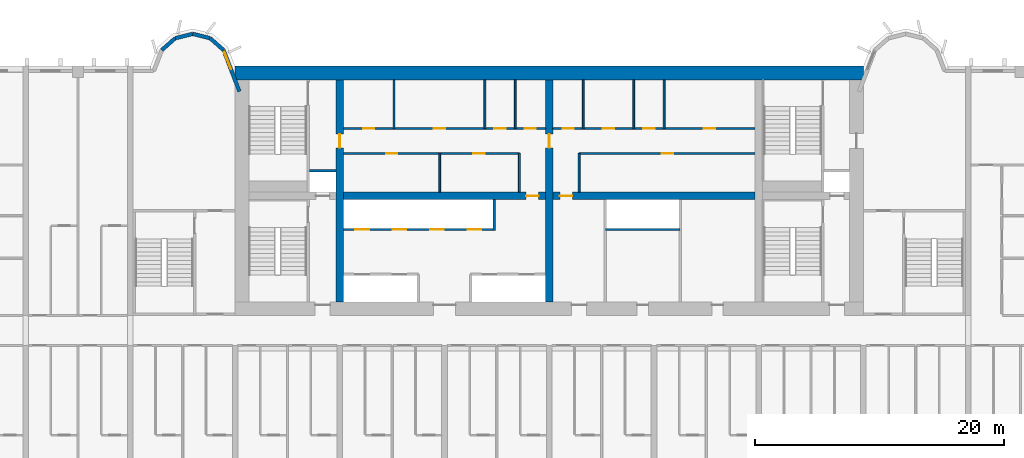
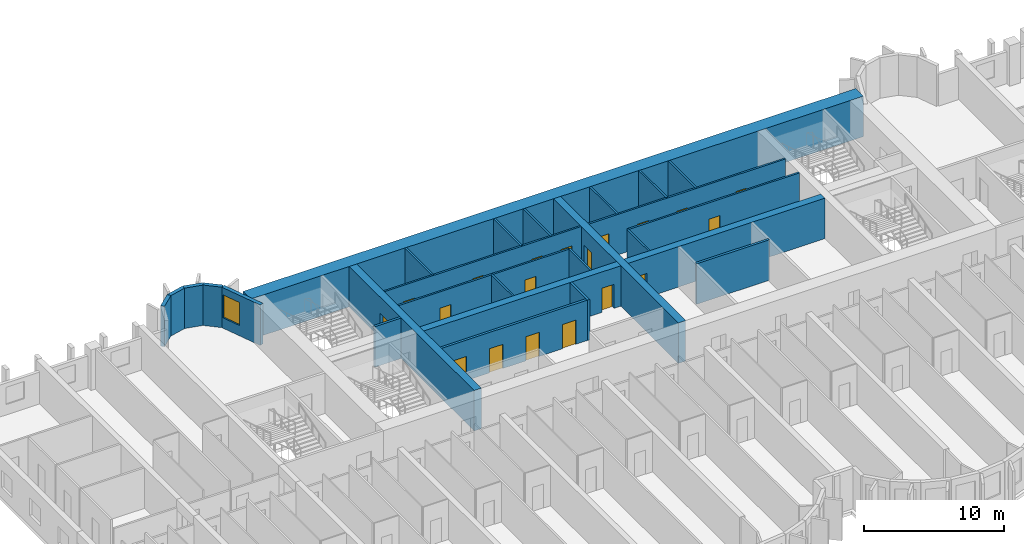
# One storey, part 7 of 15: 27 walls, 19 doors, 1 window, 20 openings.
"""IFC4 building model written with IfcOpenShell, lengths in metres."""

import ifcopenshell
import ifcopenshell.guid

model = None  # the IFC model being written
_history = None  # IfcOwnerHistory: only IFC2X3 demands one
_inside = {}  # id of a spatial element -> (the spatial element, [elements in it])
_under = {}  # id of a project, library or spatial element -> (it, [spatial elements below it])
_declared = {}  # id of a project -> (the project, [libraries it declares])
_typed = {}  # id of a type object -> (the type object, [elements of that type])
_made_of = {}  # id of a material, layer set ... -> (it, [elements and type objects made of it])


def new_model(schema):
    """Start an empty IFC model of exactly this schema.

    Asked for "IFC4X3", IfcOpenShell would pick the latest addendum, in which some entities
    have other attributes; the version numbers below select the first issue.
    IFC2X3 requires an IfcOwnerHistory on every rooted entity: one is made here for all.
    """
    global model, _history
    if schema == "IFC4X3":
        model = ifcopenshell.file(schema_version=(4, 3, 0, 0))
    else:
        model = ifcopenshell.file(schema=schema)
    _inside.clear()
    _under.clear()
    _declared.clear()
    _typed.clear()
    _made_of.clear()
    _history = None
    if model.schema == "IFC2X3":
        org = make("IfcOrganization", Name="unknown")
        user = make(
            "IfcPersonAndOrganization",
            ThePerson=make("IfcPerson", FamilyName="unknown"),
            TheOrganization=org,
        )
        app = make(
            "IfcApplication",
            ApplicationDeveloper=org,
            Version="unknown",
            ApplicationFullName="unknown",
            ApplicationIdentifier="unknown",
        )
        _history = make(
            "IfcOwnerHistory",
            OwningUser=user,
            OwningApplication=app,
            ChangeAction="ADDED",
            CreationDate=0,
        )
    return model


def make(cls, **values):
    """One entity of the class cls with the attributes given. An attribute that is None is left unset."""
    return model.create_entity(
        cls, **{name: value for name, value in values.items() if value is not None}
    )


def rooted(cls, **values):
    """An entity with a GlobalId (a new one), such as an element, a storey or a relation."""
    return make(cls, GlobalId=ifcopenshell.guid.new(), OwnerHistory=_history, **values)


def si_unit(unit_type, name, prefix=None):
    """IfcSIUnit, for example si_unit("LENGTHUNIT", "METRE", prefix="MILLI")."""
    return make("IfcSIUnit", UnitType=unit_type, Prefix=prefix, Name=name)


def assignment(units):
    """IfcUnitAssignment: the units of a project."""
    return None if units is None else make("IfcUnitAssignment", Units=units)


def point(xyz):
    """IfcCartesianPoint."""
    return None if xyz is None else make("IfcCartesianPoint", Coordinates=xyz)


def direction(xyz):
    """IfcDirection."""
    return None if xyz is None else make("IfcDirection", DirectionRatios=xyz)


def frame(location, z_axis=None, x_axis=None):
    """IfcAxis2Placement3D, a coordinate frame: its origin and axes. An axis left out is left unset."""
    return make(
        "IfcAxis2Placement3D",
        Location=point(location),
        Axis=direction(z_axis),
        RefDirection=direction(x_axis),
    )


def frame_2d(location, x_axis=None):
    """IfcAxis2Placement2D, a coordinate frame in the plane: its origin and x axis."""
    return make(
        "IfcAxis2Placement2D", Location=point(location), RefDirection=direction(x_axis)
    )


def origin():
    """The frame at (0, 0, 0) with its axes left unset."""
    return frame((0.0, 0.0, 0.0))


def place(relative_to, where):
    """IfcLocalPlacement: puts the frame where relative to a parent placement (None: the world)."""
    return make(
        "IfcLocalPlacement", PlacementRelTo=relative_to, RelativePlacement=where
    )


def context(
    kind, dimensions, precision=None, world=None, true_north=None, identifier=None
):
    """IfcGeometricRepresentationContext, for example the 3D "Model" context."""
    return make(
        "IfcGeometricRepresentationContext",
        ContextIdentifier=identifier,
        ContextType=kind,
        CoordinateSpaceDimension=dimensions,
        Precision=precision,
        WorldCoordinateSystem=world,
        TrueNorth=true_north,
    )


def subcontext(parent, identifier, kind, view, scale=None):
    """IfcGeometricRepresentationSubContext, for example "Body" below "Model"."""
    return make(
        "IfcGeometricRepresentationSubContext",
        ContextIdentifier=identifier,
        ContextType=kind,
        ParentContext=parent,
        TargetScale=scale,
        TargetView=view,
    )


def project(units=None, contexts=None):
    """IfcProject with its units and contexts."""
    return rooted(
        "IfcProject",
        Name="project",
        RepresentationContexts=contexts,
        UnitsInContext=assignment(units),
    )


def spatial(cls, under=None, at=None, **own):
    """A site, building, storey or space (cls), placed at a placement, below another one or the project."""
    s = rooted(cls, ObjectPlacement=at, **own)
    if under is not None:
        _under.setdefault(under.id(), (under, []))[1].append(s)
    return s


def profile(cls, at=None, kind="AREA", **sizes):
    """A parametric profile (cls). Its sizes go by their IFC names, for example OverallWidth=200.0."""
    return make(cls, ProfileType=kind, Position=at, **sizes)


def rectangle(**sizes):
    """IfcRectangleProfileDef."""
    return profile("IfcRectangleProfileDef", **sizes)


def extrude(swept, where, along, depth):
    """IfcExtrudedAreaSolid: the profile swept, set in the frame where, extruded along a direction by depth."""
    return make(
        "IfcExtrudedAreaSolid",
        SweptArea=swept,
        Position=where,
        ExtrudedDirection=direction(along),
        Depth=depth,
    )


def shape(context_of_items, identifier, shape_type, items):
    """IfcShapeRepresentation: the items that make up one representation, for example the "Body"."""
    return make(
        "IfcShapeRepresentation",
        ContextOfItems=context_of_items,
        RepresentationIdentifier=identifier,
        RepresentationType=shape_type,
        Items=items,
    )


def source(mapping_origin, context_of_items, identifier, shape_type, items):
    """IfcRepresentationMap: a shape defined once, which mapped items show again and again."""
    return make(
        "IfcRepresentationMap",
        MappingOrigin=mapping_origin,
        MappedRepresentation=shape(context_of_items, identifier, shape_type, items),
    )


def transform(
    local_origin,
    x_axis=None,
    y_axis=None,
    z_axis=None,
    scale=None,
    scale2=None,
    scale3=None,
    uniform=True,
):
    """IfcCartesianTransformationOperator3D, or its non-uniform kind. x_axis, y_axis, z_axis: its Axis1, 2, 3."""
    if uniform:
        return make(
            "IfcCartesianTransformationOperator3D",
            Axis1=direction(x_axis),
            Axis2=direction(y_axis),
            LocalOrigin=point(local_origin),
            Scale=scale,
            Axis3=direction(z_axis),
        )
    return make(
        "IfcCartesianTransformationOperator3DnonUniform",
        Axis1=direction(x_axis),
        Axis2=direction(y_axis),
        LocalOrigin=point(local_origin),
        Scale=scale,
        Axis3=direction(z_axis),
        Scale2=scale2,
        Scale3=scale3,
    )


def mapped(mapping_source, mapping_target):
    """IfcMappedItem: shows the shape of a source again, moved by a transform."""
    return make(
        "IfcMappedItem", MappingSource=mapping_source, MappingTarget=mapping_target
    )


def material(Name=None, Category=None):
    """IfcMaterial."""
    return make("IfcMaterial", Name=Name, Category=Category)


def layer(
    of_material, thickness, ventilated=None, Name=None, Category=None, Priority=None
):
    """IfcMaterialLayer: one layer of a wall or slab, of a material (None: an air gap)."""
    return make(
        "IfcMaterialLayer",
        Material=of_material,
        LayerThickness=thickness,
        IsVentilated=ventilated,
        Name=Name,
        Category=Category,
        Priority=Priority,
    )


def layer_set(layers, Name=None):
    """IfcMaterialLayerSet."""
    return make("IfcMaterialLayerSet", MaterialLayers=layers, LayerSetName=Name)


def made_of(thing, what):
    """Note that an element or type object is made of a material, layer set ...; save() writes the relation."""
    if what is not None:
        _made_of.setdefault(what.id(), (what, []))[1].append(thing)
    return thing


def type_object(cls, material=None, **own):
    """A type object (cls), such as IfcWallType, which elements share."""
    return made_of(rooted(cls, **own), material)


def element(
    cls,
    number,
    at=None,
    inside=None,
    cuts=None,
    type_object=None,
    material=None,
    context=None,
    identifier="Body",
    shape_type=None,
    held_by="IfcProductDefinitionShape",
    body=None,
    shapes=None,
    **own,
):
    """One element of the class cls, such as IfcWall. Its Tag is "e" and its number.

    at: its placement. inside: the storey or other place that contains it. cuts: it is an
    opening in that element (IfcRelVoidsElement). A single representation is given by context,
    identifier, shape_type and body (its items); several are given by shapes. held_by: the class
    of the entity that holds the representations. save() writes the other relations.
    """
    e = rooted(cls, Tag="e%d" % number, ObjectPlacement=at, **own)
    if body is not None:
        shapes = [shape(context, identifier, shape_type, body)]
    if shapes is not None:
        e.Representation = make(held_by, Representations=shapes)
    if inside is not None:
        _inside.setdefault(inside.id(), (inside, []))[1].append(e)
    if cuts is not None:
        rooted(
            "IfcRelVoidsElement", RelatingBuildingElement=cuts, RelatedOpeningElement=e
        )
    if type_object is not None:
        _typed.setdefault(type_object.id(), (type_object, []))[1].append(e)
    return made_of(e, material)


def fill(opening, filler):
    """IfcRelFillsElement: the door or window that sits in an opening."""
    return rooted(
        "IfcRelFillsElement",
        RelatingOpeningElement=opening,
        RelatedBuildingElement=filler,
    )


def aggregate(whole, parts):
    """IfcRelAggregates: a whole, such as a stair, and the parts it consists of."""
    return rooted("IfcRelAggregates", RelatingObject=whole, RelatedObjects=parts)


def save(model, path):
    """Write the relations noted so far, then the file.

    IfcRelAggregates (storeys below a building ...), IfcRelContainedInSpatialStructure (elements
    in a storey), IfcRelDefinesByType, IfcRelAssociatesMaterial and IfcRelDeclares: one each for
    every whole, place, type object, material and project.
    """
    for whole, parts in _under.values():
        aggregate(whole, parts)
    for where, things in _inside.values():
        rooted(
            "IfcRelContainedInSpatialStructure",
            RelatedElements=things,
            RelatingStructure=where,
        )
    for kind, things in _typed.values():
        rooted("IfcRelDefinesByType", RelatedObjects=things, RelatingType=kind)
    for what, things in _made_of.values():
        rooted("IfcRelAssociatesMaterial", RelatedObjects=things, RelatingMaterial=what)
    for by, libraries in _declared.values():
        rooted("IfcRelDeclares", RelatingContext=by, RelatedDefinitions=libraries)
    model.write(path)


model = new_model("IFC4")

# Units and contexts
model_context = context("Model", 3, precision=1e-05, world=origin(), true_north=direction((0.0, 1.0)))
body_context = subcontext(model_context, "Body", "Model", "MODEL_VIEW")
ifc_project = project(units=[si_unit("LENGTHUNIT", "METRE"), si_unit("AREAUNIT", "SQUARE_METRE"), si_unit("VOLUMEUNIT", "CUBIC_METRE"), si_unit("PLANEANGLEUNIT", "RADIAN"), si_unit("MASSUNIT", "GRAM", prefix="KILO")], contexts=[model_context])

# Site, building, storey
site_placement = place(None, origin())
site = spatial("IfcSite", under=ifc_project, at=site_placement, CompositionType="ELEMENT")
building_placement = place(site_placement, origin())
building = spatial("IfcBuilding", under=site, at=building_placement, Name="Vanashikhar Sky Hotel", CompositionType="ELEMENT")
storey_placement = place(building_placement, frame((0.0, 0.0, 31.60009765625)))
storey = spatial("IfcBuildingStorey", under=building, at=storey_placement, Name="L06", CompositionType="ELEMENT", Elevation=31.60009765625)

# Wall
ifc_material_1 = material(Name="Concrete M80", Category="concrete")
ifc_layer_1 = layer(ifc_material_1, 1.10009765625)
ifc_layer_set_1 = layer_set([ifc_layer_1], Name="RC core shell wall 1100 Concrete M80")
wall_type_1 = type_object("IfcWallType", Name="RC core shell wall 1100 Concrete M80", PredefinedType="SHEAR", material=ifc_layer_set_1)
shared_shape_1 = source(origin(), body_context, "Body", "SweptSolid", [
    extrude(rectangle(XDim=50.400146484375, YDim=1.10009765625, at=frame_2d((25.2001953125, 0.0))), origin(), (0.0, 0.0, 1.0), 3.52001953125),
])
wall_1_placement = place(storey_placement, frame((25.199951171875, 41.449951171875, 0.0), z_axis=(0.0, 0.0, 1.0), x_axis=(1.0, 0.0, 0.0)))
element("IfcWall", 1, at=wall_1_placement, inside=storey, type_object=wall_type_1, Name="KW-L06-KN", PredefinedType="SHEAR", context=body_context, shape_type="MappedRepresentation", body=[
    mapped(shared_shape_1, transform((0.0, 0.0, 0.0), scale=1.0)),
])

# Wall, opening, door
ifc_layer_2 = layer(ifc_material_1, 0.60009765625)
ifc_layer_set_2 = layer_set([ifc_layer_2], Name="RC core inner wall 600 Concrete M80")
wall_type_2 = type_object("IfcWallType", Name="RC core inner wall 600 Concrete M80", PredefinedType="SHEAR", material=ifc_layer_set_2)
shared_shape_2 = source(origin(), body_context, "Body", "SweptSolid", [
    extrude(rectangle(XDim=17.7998046875, YDim=0.60009765625, at=frame_2d((8.89990234375, 0.0))), origin(), (0.0, 0.0, 1.0), 3.52001953125),
])
wall_2_placement = place(storey_placement, frame((33.60009765625, 23.10009765625, 0.0), z_axis=(0.0, 0.0, 1.0), x_axis=(0.0, 1.0, 0.0)))
wall_2 = element("IfcWall", 2, at=wall_2_placement, inside=storey, type_object=wall_type_2, Name="KW-L06-KX1", PredefinedType="SHEAR", context=body_context, shape_type="MappedRepresentation", body=[
    mapped(shared_shape_2, transform((0.0, 0.0, 0.0), scale=1.0)),
])
shared_shape_3 = source(origin(), body_context, "Body", "SweptSolid", [
    extrude(rectangle(XDim=1.10009765625, YDim=2.10009765625, at=frame_2d((0.550048828125, 1.050048828125))), frame((0.0, 0.31005859375, 0.0), z_axis=(0.0, -1.0, 0.0), x_axis=(1.0, 0.0, 0.0)), (0.0, 0.0, 1.0), 0.6201171875),
])
opening_1_placement = place(wall_2_placement, frame((12.35009765625, 0.0, 0.0)))
opening_1 = element("IfcOpeningElement", 3, at=opening_1_placement, cuts=wall_2, Name="Opening DC-4-C", PredefinedType="OPENING", context=body_context, shape_type="MappedRepresentation", body=[
    mapped(shared_shape_3, transform((0.0, 0.0, 0.0), scale=1.0)),
])
ifc_material_2 = material(Name="Steel", Category="steel")
door_type_1 = type_object("IfcDoorType", Name="Service door 1100 FD60", OperationType="NOTDEFINED", PredefinedType="DOOR", material=ifc_material_2)
shared_shape_4 = source(origin(), body_context, "Body", "SweptSolid", [
    extrude(rectangle(XDim=1.10009765625, YDim=2.10009765625, at=frame_2d((0.550048828125, 1.050048828125))), frame((0.0, 0.02490234375, 0.0), z_axis=(0.0, -1.0, 0.0), x_axis=(1.0, 0.0, 0.0)), (0.0, 0.0, 1.0), 0.050048828125),
])
door_1_placement = place(opening_1_placement, origin())
door_1 = element("IfcDoor", 4, at=door_1_placement, inside=storey, type_object=door_type_1, Name="Service door 1100 FD60", OperationType="SINGLE_SWING_LEFT", OverallHeight=2.10009765625, OverallWidth=1.10009765625, PredefinedType="DOOR", context=body_context, shape_type="MappedRepresentation", body=[
    mapped(shared_shape_4, transform((0.0, 0.0, 0.0), scale=1.0)),
])
fill(opening_1, door_1)

wall_3_placement = place(storey_placement, frame((50.39990234375, 23.10009765625, 0.0), z_axis=(0.0, 0.0, 1.0), x_axis=(0.0, 1.0, 0.0)))
wall_3 = element("IfcWall", 5, at=wall_3_placement, inside=storey, type_object=wall_type_2, Name="KW-L06-KX2", PredefinedType="SHEAR", context=body_context, shape_type="MappedRepresentation", body=[
    mapped(shared_shape_2, transform((0.0, 0.0, 0.0), scale=1.0)),
])
opening_2_placement = place(wall_3_placement, frame((12.35009765625, 0.0, 0.0)))
opening_2 = element("IfcOpeningElement", 6, at=opening_2_placement, cuts=wall_3, Name="Opening DC-4-C", PredefinedType="OPENING", context=body_context, shape_type="MappedRepresentation", body=[
    mapped(shared_shape_3, transform((0.0, 0.0, 0.0), scale=1.0)),
])
door_2_placement = place(opening_2_placement, origin())
door_2 = element("IfcDoor", 7, at=door_2_placement, inside=storey, type_object=door_type_1, Name="Service door 1100 FD60", OperationType="SINGLE_SWING_RIGHT", OverallHeight=2.10009765625, OverallWidth=1.10009765625, PredefinedType="DOOR", context=body_context, shape_type="MappedRepresentation", body=[
    mapped(shared_shape_4, transform((0.0, 0.0, 0.0), scale=1.0)),
])
fill(opening_2, door_2)

shared_shape_5 = source(origin(), body_context, "Body", "SweptSolid", [
    extrude(rectangle(XDim=16.2001953125, YDim=0.60009765625, at=frame_2d((8.10009765625, 0.0))), origin(), (0.0, 0.0, 1.0), 3.52001953125),
])
wall_4_placement = place(storey_placement, frame((33.89990234375, 31.60009765625, 0.0), z_axis=(0.0, 0.0, 1.0), x_axis=(1.0, 0.0, 0.0)))
wall_4 = element("IfcWall", 8, at=wall_4_placement, inside=storey, type_object=wall_type_2, Name="KW-L06-KY2", PredefinedType="SHEAR", context=body_context, shape_type="MappedRepresentation", body=[
    mapped(shared_shape_5, transform((0.0, 0.0, 0.0), scale=1.0)),
])
shared_shape_6 = source(origin(), body_context, "Body", "SweptSolid", [
    extrude(rectangle(XDim=1.0, YDim=2.10009765625, at=frame_2d((0.5, 1.050048828125))), frame((0.0, 0.31005859375, 0.0), z_axis=(0.0, -1.0, 0.0), x_axis=(1.0, 0.0, 0.0)), (0.0, 0.0, 1.0), 0.6201171875),
])
opening_3_placement = place(wall_4_placement, frame((14.64990234375, 0.0, 0.0)))
opening_3 = element("IfcOpeningElement", 9, at=opening_3_placement, cuts=wall_4, Name="Opening DC-4", PredefinedType="OPENING", context=body_context, shape_type="MappedRepresentation", body=[
    mapped(shared_shape_6, transform((0.0, 0.0, 0.0), scale=1.0)),
])
door_type_2 = type_object("IfcDoorType", Name="Service door 1000 FD60", OperationType="NOTDEFINED", PredefinedType="DOOR", material=ifc_material_2)
shared_shape_7 = source(origin(), body_context, "Body", "SweptSolid", [
    extrude(rectangle(XDim=1.0, YDim=2.10009765625, at=frame_2d((0.5, 1.050048828125))), frame((0.0, 0.02490234375, 0.0), z_axis=(0.0, -1.0, 0.0), x_axis=(1.0, 0.0, 0.0)), (0.0, 0.0, 1.0), 0.050048828125),
])
door_3_placement = place(opening_3_placement, origin())
door_3 = element("IfcDoor", 10, at=door_3_placement, inside=storey, type_object=door_type_2, Name="Service door 1000 FD60", OperationType="SINGLE_SWING_RIGHT", OverallHeight=2.10009765625, OverallWidth=1.0, PredefinedType="DOOR", context=body_context, shape_type="MappedRepresentation", body=[
    mapped(shared_shape_7, transform((0.0, 0.0, 0.0), scale=1.0)),
])
fill(opening_3, door_3)

shared_shape_8 = source(origin(), body_context, "Body", "SweptSolid", [
    extrude(rectangle(XDim=16.199951171875, YDim=0.60009765625, at=frame_2d((8.10009765625, 0.0))), origin(), (0.0, 0.0, 1.0), 3.52001953125),
])
wall_5_placement = place(storey_placement, frame((50.699951171875, 31.60009765625, 0.0), z_axis=(0.0, 0.0, 1.0), x_axis=(1.0, 0.0, 0.0)))
wall_5 = element("IfcWall", 11, at=wall_5_placement, inside=storey, type_object=wall_type_2, Name="KW-L06-KY3", PredefinedType="SHEAR", context=body_context, shape_type="MappedRepresentation", body=[
    mapped(shared_shape_8, transform((0.0, 0.0, 0.0), scale=1.0)),
])
opening_4_placement = place(wall_5_placement, frame((0.550048828125, 0.0, 0.0)))
opening_4 = element("IfcOpeningElement", 12, at=opening_4_placement, cuts=wall_5, Name="Opening DC-4", PredefinedType="OPENING", context=body_context, shape_type="MappedRepresentation", body=[
    mapped(shared_shape_6, transform((0.0, 0.0, 0.0), scale=1.0)),
])
door_4_placement = place(opening_4_placement, origin())
door_4 = element("IfcDoor", 13, at=door_4_placement, inside=storey, type_object=door_type_2, Name="Service door 1000 FD60", OperationType="SINGLE_SWING_RIGHT", OverallHeight=2.10009765625, OverallWidth=1.0, PredefinedType="DOOR", context=body_context, shape_type="MappedRepresentation", body=[
    mapped(shared_shape_7, transform((0.0, 0.0, 0.0), scale=1.0)),
])
fill(opening_4, door_4)

# Wall, opening, window
ifc_material_3 = material(Name="Concrete M50", Category="concrete")
ifc_layer_3 = layer(ifc_material_3, 0.300048828125)
ifc_layer_set_3 = layer_set([ifc_layer_3], Name="Lobe wall 300")
wall_type_3 = type_object("IfcWallType", Name="Lobe wall 300", PredefinedType="SOLIDWALL", material=ifc_layer_set_3)
shared_shape_9 = source(origin(), body_context, "Body", "SweptSolid", [
    extrude(rectangle(XDim=3.55908203125, YDim=0.300048828125, at=frame_2d((1.779541015625, 0.0))), origin(), (0.0, 0.0, 1.0), 3.52001953125),
])
wall_6_placement = place(storey_placement, frame((25.550048828125, 39.968505859375, 0.0), z_axis=(0.0, 0.0, 1.0), x_axis=(-0.35779745313, 0.933799219604, 0.0)))
wall_6 = element("IfcWall", 14, at=wall_6_placement, inside=storey, type_object=wall_type_3, Name="Lobe wall", PredefinedType="SOLIDWALL", context=body_context, shape_type="MappedRepresentation", body=[
    mapped(shared_shape_9, transform((0.0, 0.0, 0.0), scale=1.0)),
])
shared_shape_10 = source(origin(), body_context, "Body", "SweptSolid", [
    extrude(rectangle(XDim=1.5, YDim=2.0, at=frame_2d((0.75, 1.0))), frame((0.0, 0.16015625, 0.0), z_axis=(0.0, -1.0, 0.0), x_axis=(1.0, 0.0, 0.0)), (0.0, 0.0, 1.0), 0.320068359375),
])
opening_5_placement = place(wall_6_placement, frame((1.9033203125, 0.0, 0.89990234375)))
opening_5 = element("IfcOpeningElement", 15, at=opening_5_placement, cuts=wall_6, Name="Opening WN-2", PredefinedType="OPENING", context=body_context, shape_type="MappedRepresentation", body=[
    mapped(shared_shape_10, transform((0.0, 0.0, 0.0), scale=1.0)),
])
ifc_material_4 = material(Name="Glass", Category="glass")
window_type = type_object("IfcWindowType", Name="Lobe window 1500 x 2000", PartitioningType="SINGLE_PANEL", PredefinedType="WINDOW", material=ifc_material_4)
shared_shape_11 = source(origin(), body_context, "Body", "SweptSolid", [
    extrude(rectangle(XDim=1.5, YDim=2.0, at=frame_2d((0.75, 1.0))), frame((0.0, 0.030029296875, 0.0), z_axis=(0.0, -1.0, 0.0), x_axis=(1.0, 0.0, 0.0)), (0.0, 0.0, 1.0), 0.06005859375),
])
window_placement = place(opening_5_placement, origin())
window = element("IfcWindow", 16, at=window_placement, inside=storey, type_object=window_type, Name="Window WN-2", OverallHeight=2.0, OverallWidth=1.5, PartitioningType="SINGLE_PANEL", PredefinedType="WINDOW", context=body_context, shape_type="MappedRepresentation", body=[
    mapped(shared_shape_11, transform((0.0, 0.0, 0.0), scale=1.0)),
])
fill(opening_5, window)

# Walls
shared_shape_12 = source(origin(), body_context, "Body", "SweptSolid", [
    extrude(rectangle(XDim=1.440185546875, YDim=0.300048828125, at=frame_2d((0.72021484375, 0.0))), origin(), (0.0, 0.0, 1.0), 3.52001953125),
])
wall_7_placement = place(storey_placement, frame((24.276611328125, 43.2919921875, 0.0), z_axis=(0.0, 0.0, 1.0), x_axis=(-0.749649827867, 0.661834673902, 0.0)))
element("IfcWall", 17, at=wall_7_placement, inside=storey, type_object=wall_type_3, Name="Lobe wall", PredefinedType="SOLIDWALL", context=body_context, shape_type="MappedRepresentation", body=[
    mapped(shared_shape_12, transform((0.0, 0.0, 0.0), scale=1.0)),
])
shared_shape_13 = source(origin(), body_context, "Body", "SweptSolid", [
    extrude(rectangle(XDim=1.4384765625, YDim=0.300048828125, at=frame_2d((0.71923828125, 0.0))), origin(), (0.0, 0.0, 1.0), 3.52001953125),
])
wall_8_placement = place(storey_placement, frame((23.197021484375, 44.2451171875, 0.0), z_axis=(0.0, 0.0, 1.0), x_axis=(-0.971152283879, 0.238460146601, 0.0)))
element("IfcWall", 18, at=wall_8_placement, inside=storey, type_object=wall_type_3, Name="Lobe wall", PredefinedType="SOLIDWALL", context=body_context, shape_type="MappedRepresentation", body=[
    mapped(shared_shape_13, transform((0.0, 0.0, 0.0), scale=1.0)),
])
shared_shape_14 = source(origin(), body_context, "Body", "SweptSolid", [
    extrude(rectangle(XDim=1.438720703125, YDim=0.300048828125, at=frame_2d((0.71923828125, 0.0))), origin(), (0.0, 0.0, 1.0), 3.52001953125),
])
wall_9_placement = place(storey_placement, frame((21.800048828125, 44.588134765625, 0.0), z_axis=(0.0, 0.0, 1.0), x_axis=(-0.971161932466, -0.238420848351, 0.0)))
element("IfcWall", 19, at=wall_9_placement, inside=storey, type_object=wall_type_3, Name="Lobe wall", PredefinedType="SOLIDWALL", context=body_context, shape_type="MappedRepresentation", body=[
    mapped(shared_shape_14, transform((0.0, 0.0, 0.0), scale=1.0)),
])
shared_shape_15 = source(origin(), body_context, "Body", "SweptSolid", [
    extrude(rectangle(XDim=1.43994140625, YDim=0.300048828125, at=frame_2d((0.719970703125, 0.0))), origin(), (0.0, 0.0, 1.0), 3.52001953125),
])
wall_10_placement = place(storey_placement, frame((20.40283203125, 44.2451171875, 0.0), z_axis=(0.0, 0.0, 1.0), x_axis=(-0.74957555648, -0.661918790432, 0.0)))
element("IfcWall", 20, at=wall_10_placement, inside=storey, type_object=wall_type_3, Name="Lobe wall", PredefinedType="SOLIDWALL", context=body_context, shape_type="MappedRepresentation", body=[
    mapped(shared_shape_15, transform((0.0, 0.0, 0.0), scale=1.0)),
])
ifc_material_5 = material(Name="Concrete M40", Category="concrete")
ifc_layer_4 = layer(ifc_material_5, 0.199951171875)
ifc_layer_set_4 = layer_set([ifc_layer_4], Name="Shaft wall 200")
wall_type_4 = type_object("IfcWallType", Name="Shaft wall 200", PredefinedType="SOLIDWALL", material=ifc_layer_set_4)
shared_shape_16 = source(origin(), body_context, "Body", "SweptSolid", [
    extrude(rectangle(XDim=6.0, YDim=0.199951171875, at=frame_2d((3.0, 0.0))), origin(), (0.0, 0.0, 1.0), 3.52001953125),
])
wall_11_placement = place(storey_placement, frame((60.89990234375, 28.89990234375, 0.0), z_axis=(0.0, 0.0, 1.0), x_axis=(-1.0, 0.0, 0.0)))
element("IfcWall", 21, at=wall_11_placement, inside=storey, type_object=wall_type_4, Name="Shaft wall 200", PredefinedType="SOLIDWALL", context=body_context, shape_type="MappedRepresentation", body=[
    mapped(shared_shape_16, transform((0.0, 0.0, 0.0), scale=1.0)),
])

# Wall, openings, doors
shared_shape_17 = source(origin(), body_context, "Body", "SweptSolid", [
    extrude(rectangle(XDim=12.0, YDim=0.199951171875, at=frame_2d((6.0, 0.0))), origin(), (0.0, 0.0, 1.0), 3.52001953125),
])
wall_12_placement = place(storey_placement, frame((33.89990234375, 28.89990234375, 0.0), z_axis=(0.0, 0.0, 1.0), x_axis=(1.0, 0.0, 0.0)))
wall_12 = element("IfcWall", 22, at=wall_12_placement, inside=storey, type_object=wall_type_4, Name="Shaft wall 200", PredefinedType="SOLIDWALL", context=body_context, shape_type="MappedRepresentation", body=[
    mapped(shared_shape_17, transform((0.0, 0.0, 0.0), scale=1.0)),
])
shared_shape_18 = source(origin(), body_context, "Body", "SweptSolid", [
    extrude(rectangle(XDim=1.10009765625, YDim=2.10009765625, at=frame_2d((0.550048828125, 1.050048828125))), frame((0.0, 0.10986328125, 0.0), z_axis=(0.0, -1.0, 0.0), x_axis=(1.0, 0.0, 0.0)), (0.0, 0.0, 1.0), 0.219970703125),
])
opening_6_placement = place(wall_12_placement, frame((0.949951171875, 0.0, 0.0)))
opening_6 = element("IfcOpeningElement", 23, at=opening_6_placement, cuts=wall_12, Name="Opening LD", PredefinedType="OPENING", context=body_context, shape_type="MappedRepresentation", body=[
    mapped(shared_shape_18, transform((0.0, 0.0, 0.0), scale=1.0)),
])
opening_7_placement = place(wall_12_placement, frame((3.949951171875, 0.0, 0.0)))
opening_7 = element("IfcOpeningElement", 24, at=opening_7_placement, cuts=wall_12, Name="Opening LD", PredefinedType="OPENING", context=body_context, shape_type="MappedRepresentation", body=[
    mapped(shared_shape_18, transform((0.0, 0.0, 0.0), scale=1.0)),
])
opening_8_placement = place(wall_12_placement, frame((6.949951171875, 0.0, 0.0)))
opening_8 = element("IfcOpeningElement", 25, at=opening_8_placement, cuts=wall_12, Name="Opening LD", PredefinedType="OPENING", context=body_context, shape_type="MappedRepresentation", body=[
    mapped(shared_shape_18, transform((0.0, 0.0, 0.0), scale=1.0)),
])
opening_9_placement = place(wall_12_placement, frame((9.949951171875, 0.0, 0.0)))
opening_9 = element("IfcOpeningElement", 26, at=opening_9_placement, cuts=wall_12, Name="Opening LD", PredefinedType="OPENING", context=body_context, shape_type="MappedRepresentation", body=[
    mapped(shared_shape_18, transform((0.0, 0.0, 0.0), scale=1.0)),
])
ifc_material_6 = material(Name="Stainless steel", Category="steel")
door_type_3 = type_object("IfcDoorType", Name="Lift landing door 1100", OperationType="NOTDEFINED", PredefinedType="DOOR", material=ifc_material_6)
door_5_placement = place(opening_6_placement, origin())
door_5 = element("IfcDoor", 27, at=door_5_placement, inside=storey, type_object=door_type_3, Name="Lift landing door 1100", OperationType="SLIDING_TO_LEFT", OverallHeight=2.10009765625, OverallWidth=1.10009765625, PredefinedType="DOOR", context=body_context, shape_type="MappedRepresentation", body=[
    mapped(shared_shape_4, transform((0.0, 0.0, 0.0), scale=1.0)),
])
fill(opening_6, door_5)
door_6_placement = place(opening_7_placement, origin())
door_6 = element("IfcDoor", 28, at=door_6_placement, inside=storey, type_object=door_type_3, Name="Lift landing door 1100", OperationType="SLIDING_TO_RIGHT", OverallHeight=2.10009765625, OverallWidth=1.10009765625, PredefinedType="DOOR", context=body_context, shape_type="MappedRepresentation", body=[
    mapped(shared_shape_4, transform((0.0, 0.0, 0.0), scale=1.0)),
])
fill(opening_7, door_6)
door_7_placement = place(opening_8_placement, origin())
door_7 = element("IfcDoor", 29, at=door_7_placement, inside=storey, type_object=door_type_3, Name="Lift landing door 1100", OperationType="SLIDING_TO_LEFT", OverallHeight=2.10009765625, OverallWidth=1.10009765625, PredefinedType="DOOR", context=body_context, shape_type="MappedRepresentation", body=[
    mapped(shared_shape_4, transform((0.0, 0.0, 0.0), scale=1.0)),
])
fill(opening_8, door_7)
door_8_placement = place(opening_9_placement, origin())
door_8 = element("IfcDoor", 30, at=door_8_placement, inside=storey, type_object=door_type_3, Name="Lift landing door 1100", OperationType="SLIDING_TO_RIGHT", OverallHeight=2.10009765625, OverallWidth=1.10009765625, PredefinedType="DOOR", context=body_context, shape_type="MappedRepresentation", body=[
    mapped(shared_shape_4, transform((0.0, 0.0, 0.0), scale=1.0)),
])
fill(opening_9, door_8)

# Walls
shared_shape_19 = source(origin(), body_context, "Body", "SweptSolid", [
    extrude(rectangle(XDim=2.5, YDim=0.199951171875, at=frame_2d((1.25, 0.0))), origin(), (0.0, 0.0, 1.0), 3.52001953125),
])
wall_13_placement = place(storey_placement, frame((46.0, 28.800048828125, 0.0), z_axis=(0.0, 0.0, 1.0), x_axis=(0.0, 1.0, 0.0)))
element("IfcWall", 31, at=wall_13_placement, inside=storey, type_object=wall_type_4, Name="Shaft wall 200", PredefinedType="SOLIDWALL", context=body_context, shape_type="MappedRepresentation", body=[
    mapped(shared_shape_19, transform((0.0, 0.0, 0.0), scale=1.0)),
])
ifc_material_7 = material(Name="Gypsum board partition")
ifc_layer_5 = layer(ifc_material_7, 0.14990234375)
ifc_layer_set_5 = layer_set([ifc_layer_5], Name="Service partition 150")
wall_type_5 = type_object("IfcWallType", Name="Service partition 150", PredefinedType="PARTITIONING", material=ifc_layer_set_5)
shared_shape_20 = source(origin(), body_context, "Body", "SweptSolid", [
    extrude(rectangle(XDim=3.10009765625, YDim=0.14990234375, at=frame_2d((1.550048828125, 0.0))), origin(), (0.0, 0.0, 1.0), 3.52001953125),
])
for number, where, z_axis, x_axis, name in (
    (32, (48.0, 31.89990234375, 0.0), (0.0, 0.0, 1.0), (0.0, 1.0, 0.0), "Service partition 150"),
    (33, (41.614013671875, 31.89990234375, 0.0), (0.0, 0.0, 1.0), (0.0, 1.0, 0.0), "Service partition 150"),
    (34, (52.800048828125, 31.89990234375, 0.0), (0.0, 0.0, 1.0), (0.0, 1.0, 0.0), "Service partition 150"),
):
    element("IfcWall", number, at=place(storey_placement, frame(where, z_axis=z_axis, x_axis=x_axis)), inside=storey, type_object=wall_type_5, Name=name, PredefinedType="PARTITIONING", context=body_context, shape_type="MappedRepresentation", body=[
        mapped(shared_shape_20, transform((0.0, 0.0, 0.0), scale=1.0)),
    ])

# Wall, openings, doors
shared_shape_21 = source(origin(), body_context, "Body", "SweptSolid", [
    extrude(rectangle(XDim=14.10009765625, YDim=0.14990234375, at=frame_2d((7.050048828125, 0.0))), origin(), (0.0, 0.0, 1.0), 3.52001953125),
])
wall_14_placement = place(storey_placement, frame((33.89990234375, 35.0, 0.0), z_axis=(0.0, 0.0, 1.0), x_axis=(1.0, 0.0, 0.0)))
wall_14 = element("IfcWall", 35, at=wall_14_placement, inside=storey, type_object=wall_type_5, Name="Service partition 150", PredefinedType="PARTITIONING", context=body_context, shape_type="MappedRepresentation", body=[
    mapped(shared_shape_21, transform((0.0, 0.0, 0.0), scale=1.0)),
])
shared_shape_22 = source(origin(), body_context, "Body", "SweptSolid", [
    extrude(rectangle(XDim=0.89990234375, YDim=2.10009765625, at=frame_2d((0.449951171875, 1.050048828125))), frame((0.0, 0.0849609375, 0.0), z_axis=(0.0, -1.0, 0.0), x_axis=(1.0, 0.0, 0.0)), (0.0, 0.0, 1.0), 0.169921875),
])
opening_10_placement = place(wall_14_placement, frame((3.406982421875, 0.0, 0.0)))
opening_10 = element("IfcOpeningElement", 36, at=opening_10_placement, cuts=wall_14, Name="Opening DC-4-A", PredefinedType="OPENING", context=body_context, shape_type="MappedRepresentation", body=[
    mapped(shared_shape_22, transform((0.0, 0.0, 0.0), scale=1.0)),
])
opening_11_placement = place(wall_14_placement, frame((10.4189453125, 0.0, 0.0)))
opening_11 = element("IfcOpeningElement", 37, at=opening_11_placement, cuts=wall_14, Name="Opening DC-4-A", PredefinedType="OPENING", context=body_context, shape_type="MappedRepresentation", body=[
    mapped(shared_shape_22, transform((0.0, 0.0, 0.0), scale=1.0)),
])
door_type_4 = type_object("IfcDoorType", Name="Service door 900 FD60", OperationType="NOTDEFINED", PredefinedType="DOOR", material=ifc_material_2)
shared_shape_23 = source(origin(), body_context, "Body", "SweptSolid", [
    extrude(rectangle(XDim=0.89990234375, YDim=2.10009765625, at=frame_2d((0.449951171875, 1.050048828125))), frame((0.0, 0.02490234375, 0.0), z_axis=(0.0, -1.0, 0.0), x_axis=(1.0, 0.0, 0.0)), (0.0, 0.0, 1.0), 0.050048828125),
])
door_9_placement = place(opening_10_placement, origin())
door_9 = element("IfcDoor", 38, at=door_9_placement, inside=storey, type_object=door_type_4, Name="Service door 900 FD60", OperationType="SINGLE_SWING_LEFT", OverallHeight=2.10009765625, OverallWidth=0.89990234375, PredefinedType="DOOR", context=body_context, shape_type="MappedRepresentation", body=[
    mapped(shared_shape_23, transform((0.0, 0.0, 0.0), scale=1.0)),
])
fill(opening_10, door_9)
door_10_placement = place(opening_11_placement, origin())
door_10 = element("IfcDoor", 39, at=door_10_placement, inside=storey, type_object=door_type_4, Name="Service door 900 FD60", OperationType="SINGLE_SWING_RIGHT", OverallHeight=2.10009765625, OverallWidth=0.89990234375, PredefinedType="DOOR", context=body_context, shape_type="MappedRepresentation", body=[
    mapped(shared_shape_23, transform((0.0, 0.0, 0.0), scale=1.0)),
])
fill(opening_11, door_10)

shared_shape_24 = source(origin(), body_context, "Body", "SweptSolid", [
    extrude(rectangle(XDim=16.2001953125, YDim=0.14990234375, at=frame_2d((8.10009765625, 0.0))), origin(), (0.0, 0.0, 1.0), 3.52001953125),
])
wall_15_placement = place(storey_placement, frame((33.89990234375, 37.0, 0.0), z_axis=(0.0, 0.0, 1.0), x_axis=(1.0, 0.0, 0.0)))
wall_15 = element("IfcWall", 40, at=wall_15_placement, inside=storey, type_object=wall_type_5, Name="Service partition 150", PredefinedType="PARTITIONING", context=body_context, shape_type="MappedRepresentation", body=[
    mapped(shared_shape_24, transform((0.0, 0.0, 0.0), scale=1.0)),
])
opening_12_placement = place(wall_15_placement, frame((1.574951171875, 0.0, 0.0)))
opening_12 = element("IfcOpeningElement", 41, at=opening_12_placement, cuts=wall_15, Name="Opening DC-4-A", PredefinedType="OPENING", context=body_context, shape_type="MappedRepresentation", body=[
    mapped(shared_shape_22, transform((0.0, 0.0, 0.0), scale=1.0)),
])
opening_13_placement = place(wall_15_placement, frame((7.2451171875, 0.0, 0.0)))
opening_13 = element("IfcOpeningElement", 42, at=opening_13_placement, cuts=wall_15, Name="Opening DC-4-A", PredefinedType="OPENING", context=body_context, shape_type="MappedRepresentation", body=[
    mapped(shared_shape_22, transform((0.0, 0.0, 0.0), scale=1.0)),
])
opening_14_placement = place(wall_15_placement, frame((12.10498046875, 0.0, 0.0)))
opening_14 = element("IfcOpeningElement", 43, at=opening_14_placement, cuts=wall_15, Name="Opening DC-4-A", PredefinedType="OPENING", context=body_context, shape_type="MappedRepresentation", body=[
    mapped(shared_shape_22, transform((0.0, 0.0, 0.0), scale=1.0)),
])
opening_15_placement = place(wall_15_placement, frame((14.534912109375, 0.0, 0.0)))
opening_15 = element("IfcOpeningElement", 44, at=opening_15_placement, cuts=wall_15, Name="Opening DC-4-A", PredefinedType="OPENING", context=body_context, shape_type="MappedRepresentation", body=[
    mapped(shared_shape_22, transform((0.0, 0.0, 0.0), scale=1.0)),
])
door_11_placement = place(opening_12_placement, origin())
door_11 = element("IfcDoor", 45, at=door_11_placement, inside=storey, type_object=door_type_4, Name="Service door 900 FD60", OperationType="SINGLE_SWING_RIGHT", OverallHeight=2.10009765625, OverallWidth=0.89990234375, PredefinedType="DOOR", context=body_context, shape_type="MappedRepresentation", body=[
    mapped(shared_shape_23, transform((0.0, 0.0, 0.0), scale=1.0)),
])
fill(opening_12, door_11)
door_12_placement = place(opening_13_placement, origin())
door_12 = element("IfcDoor", 46, at=door_12_placement, inside=storey, type_object=door_type_4, Name="Service door 900 FD60", OperationType="SINGLE_SWING_RIGHT", OverallHeight=2.10009765625, OverallWidth=0.89990234375, PredefinedType="DOOR", context=body_context, shape_type="MappedRepresentation", body=[
    mapped(shared_shape_23, transform((0.0, 0.0, 0.0), scale=1.0)),
])
fill(opening_13, door_12)
door_13_placement = place(opening_14_placement, origin())
door_13 = element("IfcDoor", 47, at=door_13_placement, inside=storey, type_object=door_type_4, Name="Service door 900 FD60", OperationType="SINGLE_SWING_RIGHT", OverallHeight=2.10009765625, OverallWidth=0.89990234375, PredefinedType="DOOR", context=body_context, shape_type="MappedRepresentation", body=[
    mapped(shared_shape_23, transform((0.0, 0.0, 0.0), scale=1.0)),
])
fill(opening_14, door_13)
door_14_placement = place(opening_15_placement, origin())
door_14 = element("IfcDoor", 48, at=door_14_placement, inside=storey, type_object=door_type_4, Name="Service door 900 FD60", OperationType="SINGLE_SWING_LEFT", OverallHeight=2.10009765625, OverallWidth=0.89990234375, PredefinedType="DOOR", context=body_context, shape_type="MappedRepresentation", body=[
    mapped(shared_shape_23, transform((0.0, 0.0, 0.0), scale=1.0)),
])
fill(opening_15, door_14)

# Walls
shared_shape_25 = source(origin(), body_context, "Body", "SweptSolid", [
    extrude(rectangle(XDim=3.89990234375, YDim=0.14990234375, at=frame_2d((1.949951171875, 0.0))), origin(), (0.0, 0.0, 1.0), 3.52001953125),
])
for number, where, z_axis, x_axis, name in (
    (49, (37.949951171875, 37.0, 0.0), (0.0, 0.0, 1.0), (0.0, 1.0, 0.0), "Service partition 150"),
    (50, (45.239990234375, 37.0, 0.0), (0.0, 0.0, 1.0), (0.0, 1.0, 0.0), "Service partition 150"),
    (51, (47.669921875, 37.0, 0.0), (0.0, 0.0, 1.0), (0.0, 1.0, 0.0), "Service partition 150"),
    (52, (59.610107421875, 37.0, 0.0), (0.0, 0.0, 1.0), (0.0, 1.0, 0.0), "Service partition 150"),
    (53, (57.179931640625, 37.0, 0.0), (0.0, 0.0, 1.0), (0.0, 1.0, 0.0), "Service partition 150"),
    (54, (53.1298828125, 37.0, 0.0), (0.0, 0.0, 1.0), (0.0, 1.0, 0.0), "Service partition 150"),
):
    element("IfcWall", number, at=place(storey_placement, frame(where, z_axis=z_axis, x_axis=x_axis)), inside=storey, type_object=wall_type_5, Name=name, PredefinedType="PARTITIONING", context=body_context, shape_type="MappedRepresentation", body=[
        mapped(shared_shape_25, transform((0.0, 0.0, 0.0), scale=1.0)),
    ])

# Wall, opening, door
shared_shape_26 = source(origin(), body_context, "Body", "SweptSolid", [
    extrude(rectangle(XDim=14.099853515625, YDim=0.14990234375, at=frame_2d((7.0498046875, 0.0))), origin(), (0.0, 0.0, 1.0), 3.52001953125),
])
wall_16_placement = place(storey_placement, frame((66.89990234375, 35.0, 0.0), z_axis=(0.0, 0.0, 1.0), x_axis=(-1.0, 0.0, 0.0)))
wall_16 = element("IfcWall", 55, at=wall_16_placement, inside=storey, type_object=wall_type_5, Name="Service partition 150", PredefinedType="PARTITIONING", context=body_context, shape_type="MappedRepresentation", body=[
    mapped(shared_shape_26, transform((0.0, 0.0, 0.0), scale=1.0)),
])
opening_16_placement = place(wall_16_placement, frame((6.56201171875, 0.0, 0.0)))
opening_16 = element("IfcOpeningElement", 56, at=opening_16_placement, cuts=wall_16, Name="Opening DC-4-A", PredefinedType="OPENING", context=body_context, shape_type="MappedRepresentation", body=[
    mapped(shared_shape_22, transform((0.0, 0.0, 0.0), scale=1.0)),
])
door_15_placement = place(opening_16_placement, origin())
door_15 = element("IfcDoor", 57, at=door_15_placement, inside=storey, type_object=door_type_4, Name="Service door 900 FD60", OperationType="SINGLE_SWING_RIGHT", OverallHeight=2.10009765625, OverallWidth=0.89990234375, PredefinedType="DOOR", context=body_context, shape_type="MappedRepresentation", body=[
    mapped(shared_shape_23, transform((0.0, 0.0, 0.0), scale=1.0)),
])
fill(opening_16, door_15)

# Wall, openings, doors
shared_shape_27 = source(origin(), body_context, "Body", "SweptSolid", [
    extrude(rectangle(XDim=16.199951171875, YDim=0.14990234375, at=frame_2d((8.10009765625, 0.0))), origin(), (0.0, 0.0, 1.0), 3.52001953125),
])
wall_17_placement = place(storey_placement, frame((66.89990234375, 37.0, 0.0), z_axis=(0.0, 0.0, 1.0), x_axis=(-1.0, 0.0, 0.0)))
wall_17 = element("IfcWall", 58, at=wall_17_placement, inside=storey, type_object=wall_type_5, Name="Service partition 150", PredefinedType="PARTITIONING", context=body_context, shape_type="MappedRepresentation", body=[
    mapped(shared_shape_27, transform((0.0, 0.0, 0.0), scale=1.0)),
])
opening_17_placement = place(wall_17_placement, frame((3.195068359375, 0.0, 0.0)))
opening_17 = element("IfcOpeningElement", 59, at=opening_17_placement, cuts=wall_17, Name="Opening DC-4-A", PredefinedType="OPENING", context=body_context, shape_type="MappedRepresentation", body=[
    mapped(shared_shape_22, transform((0.0, 0.0, 0.0), scale=1.0)),
])
opening_18_placement = place(wall_17_placement, frame((8.054931640625, 0.0, 0.0)))
opening_18 = element("IfcOpeningElement", 60, at=opening_18_placement, cuts=wall_17, Name="Opening DC-4-A", PredefinedType="OPENING", context=body_context, shape_type="MappedRepresentation", body=[
    mapped(shared_shape_22, transform((0.0, 0.0, 0.0), scale=1.0)),
])
opening_19_placement = place(wall_17_placement, frame((11.294921875, 0.0, 0.0)))
opening_19 = element("IfcOpeningElement", 61, at=opening_19_placement, cuts=wall_17, Name="Opening DC-4-A", PredefinedType="OPENING", context=body_context, shape_type="MappedRepresentation", body=[
    mapped(shared_shape_22, transform((0.0, 0.0, 0.0), scale=1.0)),
])
opening_20_placement = place(wall_17_placement, frame((14.534912109375, 0.0, 0.0)))
opening_20 = element("IfcOpeningElement", 62, at=opening_20_placement, cuts=wall_17, Name="Opening DC-4-A", PredefinedType="OPENING", context=body_context, shape_type="MappedRepresentation", body=[
    mapped(shared_shape_22, transform((0.0, 0.0, 0.0), scale=1.0)),
])
door_16_placement = place(opening_17_placement, origin())
door_16 = element("IfcDoor", 63, at=door_16_placement, inside=storey, type_object=door_type_4, Name="Service door 900 FD60", OperationType="SINGLE_SWING_LEFT", OverallHeight=2.10009765625, OverallWidth=0.89990234375, PredefinedType="DOOR", context=body_context, shape_type="MappedRepresentation", body=[
    mapped(shared_shape_23, transform((0.0, 0.0, 0.0), scale=1.0)),
])
fill(opening_17, door_16)
door_17_placement = place(opening_18_placement, origin())
door_17 = element("IfcDoor", 64, at=door_17_placement, inside=storey, type_object=door_type_4, Name="Service door 900 FD60", OperationType="SINGLE_SWING_LEFT", OverallHeight=2.10009765625, OverallWidth=0.89990234375, PredefinedType="DOOR", context=body_context, shape_type="MappedRepresentation", body=[
    mapped(shared_shape_23, transform((0.0, 0.0, 0.0), scale=1.0)),
])
fill(opening_18, door_17)
door_18_placement = place(opening_19_placement, origin())
door_18 = element("IfcDoor", 65, at=door_18_placement, inside=storey, type_object=door_type_4, Name="Service door 900 FD60", OperationType="SINGLE_SWING_RIGHT", OverallHeight=2.10009765625, OverallWidth=0.89990234375, PredefinedType="DOOR", context=body_context, shape_type="MappedRepresentation", body=[
    mapped(shared_shape_23, transform((0.0, 0.0, 0.0), scale=1.0)),
])
fill(opening_19, door_18)
door_19_placement = place(opening_20_placement, origin())
door_19 = element("IfcDoor", 66, at=door_19_placement, inside=storey, type_object=door_type_4, Name="Service door 900 FD60", OperationType="SINGLE_SWING_RIGHT", OverallHeight=2.10009765625, OverallWidth=0.89990234375, PredefinedType="DOOR", context=body_context, shape_type="MappedRepresentation", body=[
    mapped(shared_shape_23, transform((0.0, 0.0, 0.0), scale=1.0)),
])
fill(opening_20, door_19)

# Wall
shared_shape_28 = source(origin(), body_context, "Body", "SweptSolid", [
    extrude(rectangle(XDim=2.150146484375, YDim=0.199951171875, at=frame_2d((1.0751953125, 0.0))), origin(), (0.0, 0.0, 1.0), 3.52001953125),
])
wall_18_placement = place(storey_placement, frame((31.14990234375, 33.60009765625, 0.0), z_axis=(0.0, 0.0, 1.0), x_axis=(1.0, 0.0, 0.0)))
element("IfcWall", 67, at=wall_18_placement, inside=storey, type_object=wall_type_4, Name="Shaft wall 200", PredefinedType="SOLIDWALL", context=body_context, shape_type="MappedRepresentation", body=[
    mapped(shared_shape_28, transform((0.0, 0.0, 0.0), scale=1.0)),
])

save(model, "model.ifc")
